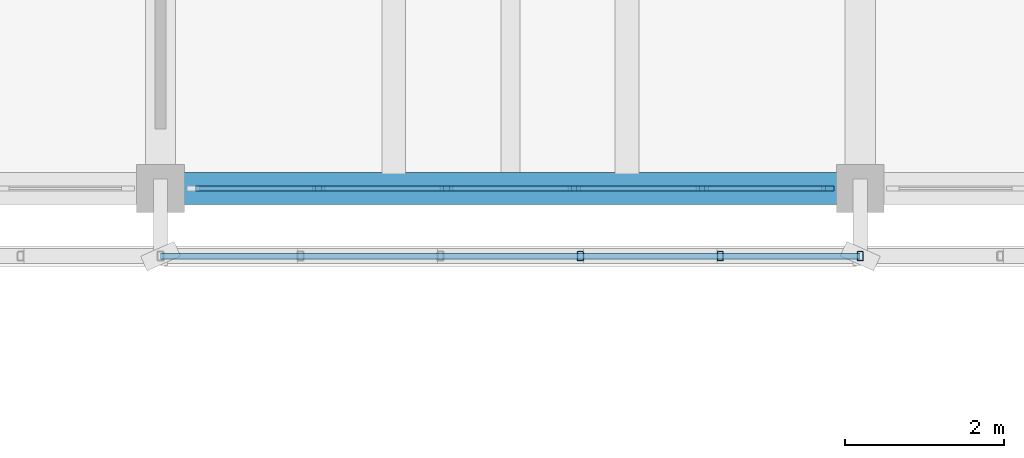
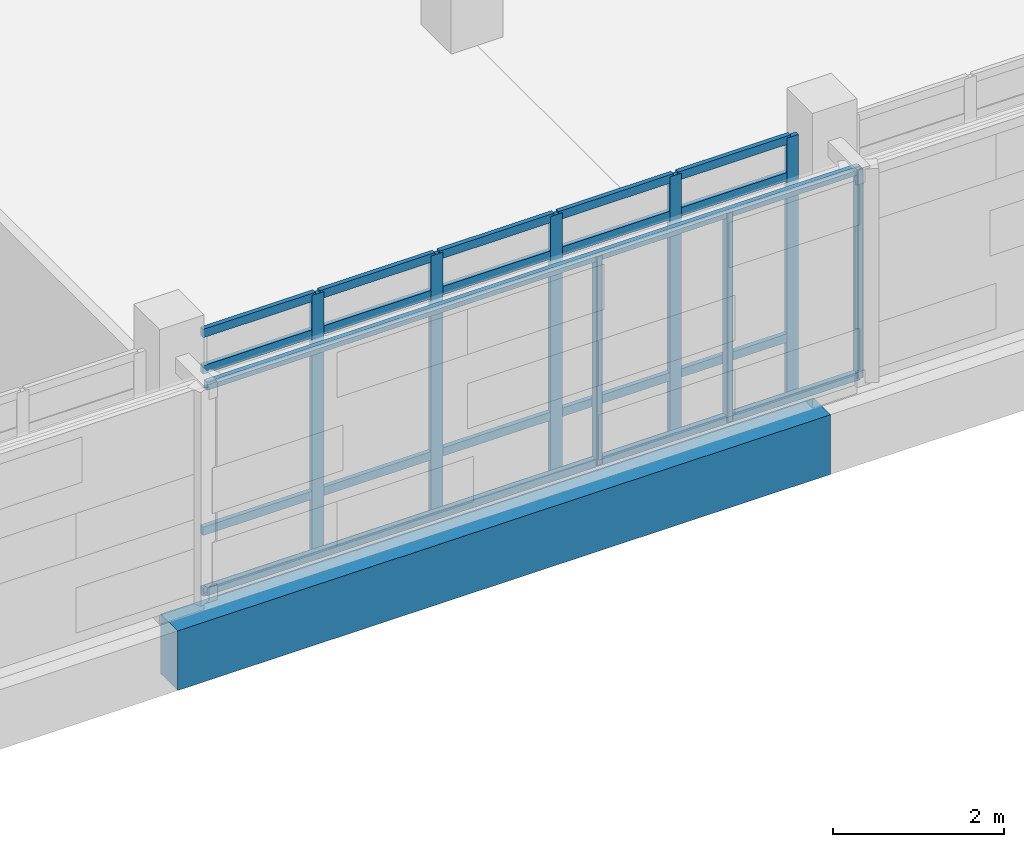
# One storey, part 62 of 137: 30 members, 1 beam, 1 element without a shape of its own.
"""IFC4 building model written with IfcOpenShell, lengths in metres."""

import ifcopenshell
import ifcopenshell.guid

model = None  # the IFC model being written
_history = None  # IfcOwnerHistory: only IFC2X3 demands one
_inside = {}  # id of a spatial element -> (the spatial element, [elements in it])
_under = {}  # id of a project, library or spatial element -> (it, [spatial elements below it])
_declared = {}  # id of a project -> (the project, [libraries it declares])
_typed = {}  # id of a type object -> (the type object, [elements of that type])
_made_of = {}  # id of a material, layer set ... -> (it, [elements and type objects made of it])


def new_model(schema):
    """Start an empty IFC model of exactly this schema.

    Asked for "IFC4X3", IfcOpenShell would pick the latest addendum, in which some entities
    have other attributes; the version numbers below select the first issue.
    IFC2X3 requires an IfcOwnerHistory on every rooted entity: one is made here for all.
    """
    global model, _history
    if schema == "IFC4X3":
        model = ifcopenshell.file(schema_version=(4, 3, 0, 0))
    else:
        model = ifcopenshell.file(schema=schema)
    _inside.clear()
    _under.clear()
    _declared.clear()
    _typed.clear()
    _made_of.clear()
    _history = None
    if model.schema == "IFC2X3":
        org = make("IfcOrganization", Name="unknown")
        user = make(
            "IfcPersonAndOrganization",
            ThePerson=make("IfcPerson", FamilyName="unknown"),
            TheOrganization=org,
        )
        app = make(
            "IfcApplication",
            ApplicationDeveloper=org,
            Version="unknown",
            ApplicationFullName="unknown",
            ApplicationIdentifier="unknown",
        )
        _history = make(
            "IfcOwnerHistory",
            OwningUser=user,
            OwningApplication=app,
            ChangeAction="ADDED",
            CreationDate=0,
        )
    return model


def make(cls, **values):
    """One entity of the class cls with the attributes given. An attribute that is None is left unset."""
    return model.create_entity(
        cls, **{name: value for name, value in values.items() if value is not None}
    )


def rooted(cls, **values):
    """An entity with a GlobalId (a new one), such as an element, a storey or a relation."""
    return make(cls, GlobalId=ifcopenshell.guid.new(), OwnerHistory=_history, **values)


def si_unit(unit_type, name, prefix=None):
    """IfcSIUnit, for example si_unit("LENGTHUNIT", "METRE", prefix="MILLI")."""
    return make("IfcSIUnit", UnitType=unit_type, Prefix=prefix, Name=name)


def assignment(units):
    """IfcUnitAssignment: the units of a project."""
    return None if units is None else make("IfcUnitAssignment", Units=units)


def point(xyz):
    """IfcCartesianPoint."""
    return None if xyz is None else make("IfcCartesianPoint", Coordinates=xyz)


def direction(xyz):
    """IfcDirection."""
    return None if xyz is None else make("IfcDirection", DirectionRatios=xyz)


def frame(location, z_axis=None, x_axis=None):
    """IfcAxis2Placement3D, a coordinate frame: its origin and axes. An axis left out is left unset."""
    return make(
        "IfcAxis2Placement3D",
        Location=point(location),
        Axis=direction(z_axis),
        RefDirection=direction(x_axis),
    )


def frame_2d(location, x_axis=None):
    """IfcAxis2Placement2D, a coordinate frame in the plane: its origin and x axis."""
    return make(
        "IfcAxis2Placement2D", Location=point(location), RefDirection=direction(x_axis)
    )


def origin():
    """The frame at (0, 0, 0) with its axes left unset."""
    return frame((0.0, 0.0, 0.0))


def origin_2d():
    """The frame at (0, 0) in the plane with its x axis left unset."""
    return frame_2d((0.0, 0.0))


def place(relative_to, where):
    """IfcLocalPlacement: puts the frame where relative to a parent placement (None: the world)."""
    return make(
        "IfcLocalPlacement", PlacementRelTo=relative_to, RelativePlacement=where
    )


def context(
    kind, dimensions, precision=None, world=None, true_north=None, identifier=None
):
    """IfcGeometricRepresentationContext, for example the 3D "Model" context."""
    return make(
        "IfcGeometricRepresentationContext",
        ContextIdentifier=identifier,
        ContextType=kind,
        CoordinateSpaceDimension=dimensions,
        Precision=precision,
        WorldCoordinateSystem=world,
        TrueNorth=true_north,
    )


def subcontext(parent, identifier, kind, view, scale=None):
    """IfcGeometricRepresentationSubContext, for example "Body" below "Model"."""
    return make(
        "IfcGeometricRepresentationSubContext",
        ContextIdentifier=identifier,
        ContextType=kind,
        ParentContext=parent,
        TargetScale=scale,
        TargetView=view,
    )


def project(units=None, contexts=None):
    """IfcProject with its units and contexts."""
    return rooted(
        "IfcProject",
        Name="project",
        RepresentationContexts=contexts,
        UnitsInContext=assignment(units),
    )


def spatial(cls, under=None, at=None, **own):
    """A site, building, storey or space (cls), placed at a placement, below another one or the project."""
    s = rooted(cls, ObjectPlacement=at, **own)
    if under is not None:
        _under.setdefault(under.id(), (under, []))[1].append(s)
    return s


def profile(cls, at=None, kind="AREA", **sizes):
    """A parametric profile (cls). Its sizes go by their IFC names, for example OverallWidth=200.0."""
    return make(cls, ProfileType=kind, Position=at, **sizes)


def rectangle(**sizes):
    """IfcRectangleProfileDef."""
    return profile("IfcRectangleProfileDef", **sizes)


def hollow_rectangle(**sizes):
    """IfcRectangleHollowProfileDef."""
    return profile("IfcRectangleHollowProfileDef", **sizes)


def extrude(swept, where, along, depth):
    """IfcExtrudedAreaSolid: the profile swept, set in the frame where, extruded along a direction by depth."""
    return make(
        "IfcExtrudedAreaSolid",
        SweptArea=swept,
        Position=where,
        ExtrudedDirection=direction(along),
        Depth=depth,
    )


def shape(context_of_items, identifier, shape_type, items):
    """IfcShapeRepresentation: the items that make up one representation, for example the "Body"."""
    return make(
        "IfcShapeRepresentation",
        ContextOfItems=context_of_items,
        RepresentationIdentifier=identifier,
        RepresentationType=shape_type,
        Items=items,
    )


def material(Name=None, Category=None):
    """IfcMaterial."""
    return make("IfcMaterial", Name=Name, Category=Category)


def material_profile(
    of_material, cross_section, Name=None, Category=None, Priority=None
):
    """IfcMaterialProfile: a cross section and its material."""
    return make(
        "IfcMaterialProfile",
        Name=Name,
        Material=of_material,
        Profile=cross_section,
        Priority=Priority,
        Category=Category,
    )


def profile_set(profiles, Name=None, composite=None):
    """IfcMaterialProfileSet."""
    return make(
        "IfcMaterialProfileSet",
        Name=Name,
        MaterialProfiles=profiles,
        CompositeProfile=composite,
    )


def made_of(thing, what):
    """Note that an element or type object is made of a material, layer set ...; save() writes the relation."""
    if what is not None:
        _made_of.setdefault(what.id(), (what, []))[1].append(thing)
    return thing


def type_object(cls, material=None, **own):
    """A type object (cls), such as IfcWallType, which elements share."""
    return made_of(rooted(cls, **own), material)


def element(
    cls,
    number,
    at=None,
    inside=None,
    cuts=None,
    type_object=None,
    material=None,
    context=None,
    identifier="Body",
    shape_type=None,
    held_by="IfcProductDefinitionShape",
    body=None,
    shapes=None,
    **own,
):
    """One element of the class cls, such as IfcWall. Its Tag is "e" and its number.

    at: its placement. inside: the storey or other place that contains it. cuts: it is an
    opening in that element (IfcRelVoidsElement). A single representation is given by context,
    identifier, shape_type and body (its items); several are given by shapes. held_by: the class
    of the entity that holds the representations. save() writes the other relations.
    """
    e = rooted(cls, Tag="e%d" % number, ObjectPlacement=at, **own)
    if body is not None:
        shapes = [shape(context, identifier, shape_type, body)]
    if shapes is not None:
        e.Representation = make(held_by, Representations=shapes)
    if inside is not None:
        _inside.setdefault(inside.id(), (inside, []))[1].append(e)
    if cuts is not None:
        rooted(
            "IfcRelVoidsElement", RelatingBuildingElement=cuts, RelatedOpeningElement=e
        )
    if type_object is not None:
        _typed.setdefault(type_object.id(), (type_object, []))[1].append(e)
    return made_of(e, material)


def aggregate(whole, parts):
    """IfcRelAggregates: a whole, such as a stair, and the parts it consists of."""
    return rooted("IfcRelAggregates", RelatingObject=whole, RelatedObjects=parts)


def save(model, path):
    """Write the relations noted so far, then the file.

    IfcRelAggregates (storeys below a building ...), IfcRelContainedInSpatialStructure (elements
    in a storey), IfcRelDefinesByType, IfcRelAssociatesMaterial and IfcRelDeclares: one each for
    every whole, place, type object, material and project.
    """
    for whole, parts in _under.values():
        aggregate(whole, parts)
    for where, things in _inside.values():
        rooted(
            "IfcRelContainedInSpatialStructure",
            RelatedElements=things,
            RelatingStructure=where,
        )
    for kind, things in _typed.values():
        rooted("IfcRelDefinesByType", RelatedObjects=things, RelatingType=kind)
    for what, things in _made_of.values():
        rooted("IfcRelAssociatesMaterial", RelatedObjects=things, RelatingMaterial=what)
    for by, libraries in _declared.values():
        rooted("IfcRelDeclares", RelatingContext=by, RelatedDefinitions=libraries)
    model.write(path)


model = new_model("IFC4")

# Units and contexts
model_context = context("Model", 3, precision=1e-05, world=origin(), true_north=direction((0.0, 1.0)))
body_context = subcontext(model_context, "Body", "Model", "MODEL_VIEW")
ifc_project = project(units=[si_unit("LENGTHUNIT", "METRE"), si_unit("AREAUNIT", "SQUARE_METRE"), si_unit("VOLUMEUNIT", "CUBIC_METRE"), si_unit("PLANEANGLEUNIT", "RADIAN"), si_unit("MASSUNIT", "GRAM", prefix="KILO")], contexts=[model_context])

# Site, building, storey
site_placement = place(None, origin())
site = spatial("IfcSite", under=ifc_project, at=site_placement, CompositionType="ELEMENT")
building_placement = place(site_placement, origin())
building = spatial("IfcBuilding", under=site, at=building_placement, Name="Cinderway Yard Community Centre", CompositionType="ELEMENT")
storey_placement = place(building_placement, frame((0.0, 0.0, 4.800048828125)))
storey = spatial("IfcBuildingStorey", under=building, at=storey_placement, Name="L01", CompositionType="ELEMENT", Elevation=4.800048828125)

# Curtain wall, members
ifc_material_1 = material(Name="Aluminium 6063-T6", Category="aluminium")
curtain_wall_type = type_object("IfcCurtainWallType", Name="ENV-CW-TYPE-27", PredefinedType="USERDEFINED", material=ifc_material_1)
curtain_wall_placement = place(storey_placement, origin())
curtain_wall = element("IfcCurtainWall", 1, at=curtain_wall_placement, inside=storey, type_object=curtain_wall_type, Name="V4 Courtyard Curtain Wall ENV-CW-L01-ST-0134", ObjectType="GLAZED CURTAIN WALL", PredefinedType="USERDEFINED")
ifc_material_profile_1 = material_profile(ifc_material_1, rectangle(XDim=0.06005859375, YDim=0.159912109375, at=origin_2d()), Name="Aluminium 6063-T6")
ifc_profile_set_1 = profile_set([ifc_material_profile_1], Name="Aluminium 6063-T6")
member_type_1 = type_object("IfcMemberType", Name="ENV-CW-MULL-150", PredefinedType="MULLION", material=ifc_profile_set_1)
member_1_placement = place(storey_placement, frame((112.387939453125, 90.0, 0.0), z_axis=(0.0, 0.0, 1.0), x_axis=(0.0, 1.0, 0.0)))
member_1 = element("IfcMember", 2, at=member_1_placement, type_object=member_type_1, Name="CW-27 mullion 2", PredefinedType="MULLION", context=body_context, shape_type="SweptSolid", body=[
    extrude(rectangle(XDim=0.06005859375, YDim=0.159912109375, at=origin_2d()), origin(), (0.0, 0.0, 1.0), 3.75),
])
member_2_placement = place(storey_placement, frame((113.99609375, 90.0, 0.0), z_axis=(0.0, 0.0, 1.0), x_axis=(0.0, 1.0, 0.0)))
member_2 = element("IfcMember", 3, at=member_2_placement, type_object=member_type_1, Name="CW-27 mullion 3", PredefinedType="MULLION", context=body_context, shape_type="SweptSolid", body=[
    extrude(rectangle(XDim=0.06005859375, YDim=0.159912109375, at=origin_2d()), origin(), (0.0, 0.0, 1.0), 3.75),
])
member_3_placement = place(storey_placement, frame((115.60400390625, 90.0, 0.0), z_axis=(0.0, 0.0, 1.0), x_axis=(0.0, 1.0, 0.0)))
member_3 = element("IfcMember", 4, at=member_3_placement, type_object=member_type_1, Name="CW-27 mullion 4", PredefinedType="MULLION", context=body_context, shape_type="SweptSolid", body=[
    extrude(rectangle(XDim=0.06005859375, YDim=0.159912109375, at=origin_2d()), origin(), (0.0, 0.0, 1.0), 3.75),
])
member_4_placement = place(storey_placement, frame((117.2119140625, 90.0, 0.0), z_axis=(0.0, 0.0, 1.0), x_axis=(0.0, 1.0, 0.0)))
member_4 = element("IfcMember", 5, at=member_4_placement, type_object=member_type_1, Name="CW-27 mullion 5", PredefinedType="MULLION", context=body_context, shape_type="SweptSolid", body=[
    extrude(rectangle(XDim=0.06005859375, YDim=0.159912109375, at=origin_2d()), origin(), (0.0, 0.0, 1.0), 3.75),
])
member_5_placement = place(storey_placement, frame((118.7900390625, 90.0, 0.0), z_axis=(0.0, 0.0, 1.0), x_axis=(0.0, 1.0, 0.0)))
member_5 = element("IfcMember", 6, at=member_5_placement, type_object=member_type_1, Name="CW-27 mullion 6", PredefinedType="MULLION", context=body_context, shape_type="SweptSolid", body=[
    extrude(rectangle(XDim=0.06005859375, YDim=0.159912109375, at=origin_2d()), origin(), (0.0, 0.0, 1.0), 3.75),
])
ifc_material_profile_2 = material_profile(ifc_material_1, rectangle(XDim=0.06005859375, YDim=0.1201171875, at=origin_2d()), Name="Aluminium 6063-T6")
ifc_profile_set_2 = profile_set([ifc_material_profile_2], Name="Aluminium 6063-T6")
member_type_2 = type_object("IfcMemberType", Name="ENV-CW-TRAN-110", PredefinedType="USERDEFINED", material=ifc_profile_set_2)
member_6_placement = place(storey_placement, frame((110.840087890625, 90.0, 0.030029296875), z_axis=(1.0, 0.0, 0.0), x_axis=(0.0, 1.0, 0.0)))
member_6 = element("IfcMember", 7, at=member_6_placement, type_object=member_type_2, Name="CW-27 transom 1.1", ObjectType="TRANSOM", PredefinedType="USERDEFINED", context=body_context, shape_type="SweptSolid", body=[
    extrude(rectangle(XDim=0.06005859375, YDim=0.1201171875, at=origin_2d()), origin(), (0.0, 0.0, 1.0), 1.517822265625),
])
member_7_placement = place(storey_placement, frame((110.840087890625, 90.0, 0.89990234375), z_axis=(1.0, 0.0, 0.0), x_axis=(0.0, 1.0, 0.0)))
member_7 = element("IfcMember", 8, at=member_7_placement, type_object=member_type_2, Name="CW-27 transom 1.2", ObjectType="TRANSOM", PredefinedType="USERDEFINED", context=body_context, shape_type="SweptSolid", body=[
    extrude(rectangle(XDim=0.06005859375, YDim=0.1201171875, at=origin_2d()), origin(), (0.0, 0.0, 1.0), 1.517822265625),
])
member_8_placement = place(storey_placement, frame((110.840087890625, 90.0, 3.199951171875), z_axis=(1.0, 0.0, 0.0), x_axis=(0.0, 1.0, 0.0)))
member_8 = element("IfcMember", 9, at=member_8_placement, type_object=member_type_2, Name="CW-27 transom 1.3", ObjectType="TRANSOM", PredefinedType="USERDEFINED", context=body_context, shape_type="SweptSolid", body=[
    extrude(rectangle(XDim=0.06005859375, YDim=0.1201171875, at=origin_2d()), origin(), (0.0, 0.0, 1.0), 1.517822265625),
])
member_9_placement = place(storey_placement, frame((110.840087890625, 90.0, 3.719970703125), z_axis=(1.0, 0.0, 0.0), x_axis=(0.0, 1.0, 0.0)))
member_9 = element("IfcMember", 10, at=member_9_placement, type_object=member_type_2, Name="CW-27 transom 1.4", ObjectType="TRANSOM", PredefinedType="USERDEFINED", context=body_context, shape_type="SweptSolid", body=[
    extrude(rectangle(XDim=0.06005859375, YDim=0.1201171875, at=origin_2d()), origin(), (0.0, 0.0, 1.0), 1.517822265625),
])
member_10_placement = place(storey_placement, frame((112.41796875, 90.0, 0.030029296875), z_axis=(1.0, 0.0, 0.0), x_axis=(0.0, 1.0, 0.0)))
member_10 = element("IfcMember", 11, at=member_10_placement, type_object=member_type_2, Name="CW-27 transom 2.1", ObjectType="TRANSOM", PredefinedType="USERDEFINED", context=body_context, shape_type="SweptSolid", body=[
    extrude(rectangle(XDim=0.06005859375, YDim=0.1201171875, at=origin_2d()), origin(), (0.0, 0.0, 1.0), 1.548095703125),
])
member_11_placement = place(storey_placement, frame((112.41796875, 90.0, 0.89990234375), z_axis=(1.0, 0.0, 0.0), x_axis=(0.0, 1.0, 0.0)))
member_11 = element("IfcMember", 12, at=member_11_placement, type_object=member_type_2, Name="CW-27 transom 2.2", ObjectType="TRANSOM", PredefinedType="USERDEFINED", context=body_context, shape_type="SweptSolid", body=[
    extrude(rectangle(XDim=0.06005859375, YDim=0.1201171875, at=origin_2d()), origin(), (0.0, 0.0, 1.0), 1.548095703125),
])
member_12_placement = place(storey_placement, frame((112.41796875, 90.0, 3.199951171875), z_axis=(1.0, 0.0, 0.0), x_axis=(0.0, 1.0, 0.0)))
member_12 = element("IfcMember", 13, at=member_12_placement, type_object=member_type_2, Name="CW-27 transom 2.3", ObjectType="TRANSOM", PredefinedType="USERDEFINED", context=body_context, shape_type="SweptSolid", body=[
    extrude(rectangle(XDim=0.06005859375, YDim=0.1201171875, at=origin_2d()), origin(), (0.0, 0.0, 1.0), 1.548095703125),
])
member_13_placement = place(storey_placement, frame((112.41796875, 90.0, 3.719970703125), z_axis=(1.0, 0.0, 0.0), x_axis=(0.0, 1.0, 0.0)))
member_13 = element("IfcMember", 14, at=member_13_placement, type_object=member_type_2, Name="CW-27 transom 2.4", ObjectType="TRANSOM", PredefinedType="USERDEFINED", context=body_context, shape_type="SweptSolid", body=[
    extrude(rectangle(XDim=0.06005859375, YDim=0.1201171875, at=origin_2d()), origin(), (0.0, 0.0, 1.0), 1.548095703125),
])
member_14_placement = place(storey_placement, frame((114.02587890625, 90.0, 0.030029296875), z_axis=(1.0, 0.0, 0.0), x_axis=(0.0, 1.0, 0.0)))
member_14 = element("IfcMember", 15, at=member_14_placement, type_object=member_type_2, Name="CW-27 transom 3.1", ObjectType="TRANSOM", PredefinedType="USERDEFINED", context=body_context, shape_type="SweptSolid", body=[
    extrude(rectangle(XDim=0.06005859375, YDim=0.1201171875, at=origin_2d()), origin(), (0.0, 0.0, 1.0), 1.548095703125),
])
member_15_placement = place(storey_placement, frame((114.02587890625, 90.0, 0.89990234375), z_axis=(1.0, 0.0, 0.0), x_axis=(0.0, 1.0, 0.0)))
member_15 = element("IfcMember", 16, at=member_15_placement, type_object=member_type_2, Name="CW-27 transom 3.2", ObjectType="TRANSOM", PredefinedType="USERDEFINED", context=body_context, shape_type="SweptSolid", body=[
    extrude(rectangle(XDim=0.06005859375, YDim=0.1201171875, at=origin_2d()), origin(), (0.0, 0.0, 1.0), 1.548095703125),
])
member_16_placement = place(storey_placement, frame((114.02587890625, 90.0, 3.199951171875), z_axis=(1.0, 0.0, 0.0), x_axis=(0.0, 1.0, 0.0)))
member_16 = element("IfcMember", 17, at=member_16_placement, type_object=member_type_2, Name="CW-27 transom 3.3", ObjectType="TRANSOM", PredefinedType="USERDEFINED", context=body_context, shape_type="SweptSolid", body=[
    extrude(rectangle(XDim=0.06005859375, YDim=0.1201171875, at=origin_2d()), origin(), (0.0, 0.0, 1.0), 1.548095703125),
])
member_17_placement = place(storey_placement, frame((114.02587890625, 90.0, 3.719970703125), z_axis=(1.0, 0.0, 0.0), x_axis=(0.0, 1.0, 0.0)))
member_17 = element("IfcMember", 18, at=member_17_placement, type_object=member_type_2, Name="CW-27 transom 3.4", ObjectType="TRANSOM", PredefinedType="USERDEFINED", context=body_context, shape_type="SweptSolid", body=[
    extrude(rectangle(XDim=0.06005859375, YDim=0.1201171875, at=origin_2d()), origin(), (0.0, 0.0, 1.0), 1.548095703125),
])
member_18_placement = place(storey_placement, frame((115.634033203125, 90.0, 0.030029296875), z_axis=(1.0, 0.0, 0.0), x_axis=(0.0, 1.0, 0.0)))
member_18 = element("IfcMember", 19, at=member_18_placement, type_object=member_type_2, Name="CW-27 transom 4.1", ObjectType="TRANSOM", PredefinedType="USERDEFINED", context=body_context, shape_type="SweptSolid", body=[
    extrude(rectangle(XDim=0.06005859375, YDim=0.1201171875, at=origin_2d()), origin(), (0.0, 0.0, 1.0), 1.5478515625),
])
member_19_placement = place(storey_placement, frame((115.634033203125, 90.0, 0.89990234375), z_axis=(1.0, 0.0, 0.0), x_axis=(0.0, 1.0, 0.0)))
member_19 = element("IfcMember", 20, at=member_19_placement, type_object=member_type_2, Name="CW-27 transom 4.2", ObjectType="TRANSOM", PredefinedType="USERDEFINED", context=body_context, shape_type="SweptSolid", body=[
    extrude(rectangle(XDim=0.06005859375, YDim=0.1201171875, at=origin_2d()), origin(), (0.0, 0.0, 1.0), 1.5478515625),
])
member_20_placement = place(storey_placement, frame((115.634033203125, 90.0, 3.199951171875), z_axis=(1.0, 0.0, 0.0), x_axis=(0.0, 1.0, 0.0)))
member_20 = element("IfcMember", 21, at=member_20_placement, type_object=member_type_2, Name="CW-27 transom 4.3", ObjectType="TRANSOM", PredefinedType="USERDEFINED", context=body_context, shape_type="SweptSolid", body=[
    extrude(rectangle(XDim=0.06005859375, YDim=0.1201171875, at=origin_2d()), origin(), (0.0, 0.0, 1.0), 1.5478515625),
])
member_21_placement = place(storey_placement, frame((115.634033203125, 90.0, 3.719970703125), z_axis=(1.0, 0.0, 0.0), x_axis=(0.0, 1.0, 0.0)))
member_21 = element("IfcMember", 22, at=member_21_placement, type_object=member_type_2, Name="CW-27 transom 4.4", ObjectType="TRANSOM", PredefinedType="USERDEFINED", context=body_context, shape_type="SweptSolid", body=[
    extrude(rectangle(XDim=0.06005859375, YDim=0.1201171875, at=origin_2d()), origin(), (0.0, 0.0, 1.0), 1.5478515625),
])
member_22_placement = place(storey_placement, frame((117.241943359375, 90.0, 0.030029296875), z_axis=(1.0, 0.0, 0.0), x_axis=(0.0, 1.0, 0.0)))
member_22 = element("IfcMember", 23, at=member_22_placement, type_object=member_type_2, Name="CW-27 transom 5.1", ObjectType="TRANSOM", PredefinedType="USERDEFINED", context=body_context, shape_type="SweptSolid", body=[
    extrude(rectangle(XDim=0.06005859375, YDim=0.1201171875, at=origin_2d()), origin(), (0.0, 0.0, 1.0), 1.51806640625),
])
member_23_placement = place(storey_placement, frame((117.241943359375, 90.0, 0.89990234375), z_axis=(1.0, 0.0, 0.0), x_axis=(0.0, 1.0, 0.0)))
member_23 = element("IfcMember", 24, at=member_23_placement, type_object=member_type_2, Name="CW-27 transom 5.2", ObjectType="TRANSOM", PredefinedType="USERDEFINED", context=body_context, shape_type="SweptSolid", body=[
    extrude(rectangle(XDim=0.06005859375, YDim=0.1201171875, at=origin_2d()), origin(), (0.0, 0.0, 1.0), 1.51806640625),
])
member_24_placement = place(storey_placement, frame((117.241943359375, 90.0, 3.199951171875), z_axis=(1.0, 0.0, 0.0), x_axis=(0.0, 1.0, 0.0)))
member_24 = element("IfcMember", 25, at=member_24_placement, type_object=member_type_2, Name="CW-27 transom 5.3", ObjectType="TRANSOM", PredefinedType="USERDEFINED", context=body_context, shape_type="SweptSolid", body=[
    extrude(rectangle(XDim=0.06005859375, YDim=0.1201171875, at=origin_2d()), origin(), (0.0, 0.0, 1.0), 1.51806640625),
])
member_25_placement = place(storey_placement, frame((117.241943359375, 90.0, 3.719970703125), z_axis=(1.0, 0.0, 0.0), x_axis=(0.0, 1.0, 0.0)))
member_25 = element("IfcMember", 26, at=member_25_placement, type_object=member_type_2, Name="CW-27 transom 5.4", ObjectType="TRANSOM", PredefinedType="USERDEFINED", context=body_context, shape_type="SweptSolid", body=[
    extrude(rectangle(XDim=0.06005859375, YDim=0.1201171875, at=origin_2d()), origin(), (0.0, 0.0, 1.0), 1.51806640625),
])
aggregate(curtain_wall, [member_1, member_2, member_3, member_4, member_5, member_6, member_7, member_8, member_9, member_10, member_11, member_12, member_13, member_14, member_15, member_16, member_17, member_18, member_19, member_20, member_21, member_22, member_23, member_24, member_25])

# Members
ifc_material_2 = material(Name="Steel S355", Category="steel")
ifc_material_profile_3 = material_profile(ifc_material_2, hollow_rectangle(XDim=0.080078125, YDim=0.1201171875, WallThickness=0.00634765625, InnerFilletRadius=0.00634765625, OuterFilletRadius=0.0126953125, at=origin_2d()), Name="Steel S355")
ifc_profile_set_3 = profile_set([ifc_material_profile_3], Name="Steel S355")
member_type_3 = type_object("IfcMemberType", Name="ENV-MEM-SCREEN-RAIL-120", PredefinedType="STRINGER", material=ifc_profile_set_3)
for number, where, z_axis, x_axis, name in (
    (27, (110.39990234375, 89.14990234375, 0.7099609375), (1.0, 0.0, 0.0), (0.0, 1.0, 0.0), "Screen support rail 0382-BOT"),
    (28, (110.39990234375, 89.14990234375, 3.639892578125), (1.0, 0.0, 0.0), (0.0, 1.0, 0.0), "Screen support rail 0383-TOP"),
):
    element("IfcMember", number, at=place(storey_placement, frame(where, z_axis=z_axis, x_axis=x_axis)), inside=storey, type_object=member_type_3, Name=name, PredefinedType="STRINGER", context=body_context, shape_type="SweptSolid", body=[
        extrude(hollow_rectangle(XDim=0.080078125, YDim=0.1201171875, WallThickness=0.00634765625, InnerFilletRadius=0.00634765625, OuterFilletRadius=0.0126953125, at=origin_2d()), origin(), (0.0, 0.0, 1.0), 8.800048828125),
    ])
for number, where, z_axis, x_axis, name in (
    (29, (115.679931640625, 89.14990234375, 0.68994140625), (0.0, 0.0, 1.0), (1.0, 0.0, 0.0), "Screen vertical mullion 0386"),
    (30, (117.43994140625, 89.14990234375, 0.68994140625), (0.0, 0.0, 1.0), (1.0, 0.0, 0.0), "Screen vertical mullion 0387"),
    (31, (119.199951171875, 89.14990234375, 0.68994140625), (0.0, 0.0, 1.0), (1.0, 0.0, 0.0), "Screen vertical mullion 0388"),
):
    element("IfcMember", number, at=place(storey_placement, frame(where, z_axis=z_axis, x_axis=x_axis)), inside=storey, type_object=member_type_3, Name=name, PredefinedType="STRINGER", context=body_context, shape_type="SweptSolid", body=[
        extrude(hollow_rectangle(XDim=0.080078125, YDim=0.1201171875, WallThickness=0.00634765625, InnerFilletRadius=0.00634765625, OuterFilletRadius=0.0126953125, at=origin_2d()), origin(), (0.0, 0.0, 1.0), 2.969970703125),
    ])

# Beam
ifc_material_3 = material(Name="Concrete C40/50", Category="concrete")
ifc_material_profile_4 = material_profile(ifc_material_3, rectangle(XDim=0.39990234375, YDim=0.85009765625, at=origin_2d()), Name="Concrete C40/50")
ifc_profile_set_4 = profile_set([ifc_material_profile_4], Name="Concrete C40/50")
beam_type = type_object("IfcBeamType", Name="STR-BM-RC400X850", PredefinedType="BEAM", material=ifc_profile_set_4)
beam_placement = place(storey_placement, frame((110.39990234375, 90.0, -0.68505859375), z_axis=(1.0, 0.0, 0.0), x_axis=(0.0, 1.0, 0.0)))
element("IfcBeam", 32, at=beam_placement, inside=storey, type_object=beam_type, Name="Primary girder STR-BM-L01-BG04-0180", PredefinedType="BEAM", context=body_context, shape_type="SweptSolid", body=[
    extrude(rectangle(XDim=0.39990234375, YDim=0.85009765625, at=origin_2d()), origin(), (0.0, 0.0, 1.0), 8.800048828125),
])

save(model, "model.ifc")
